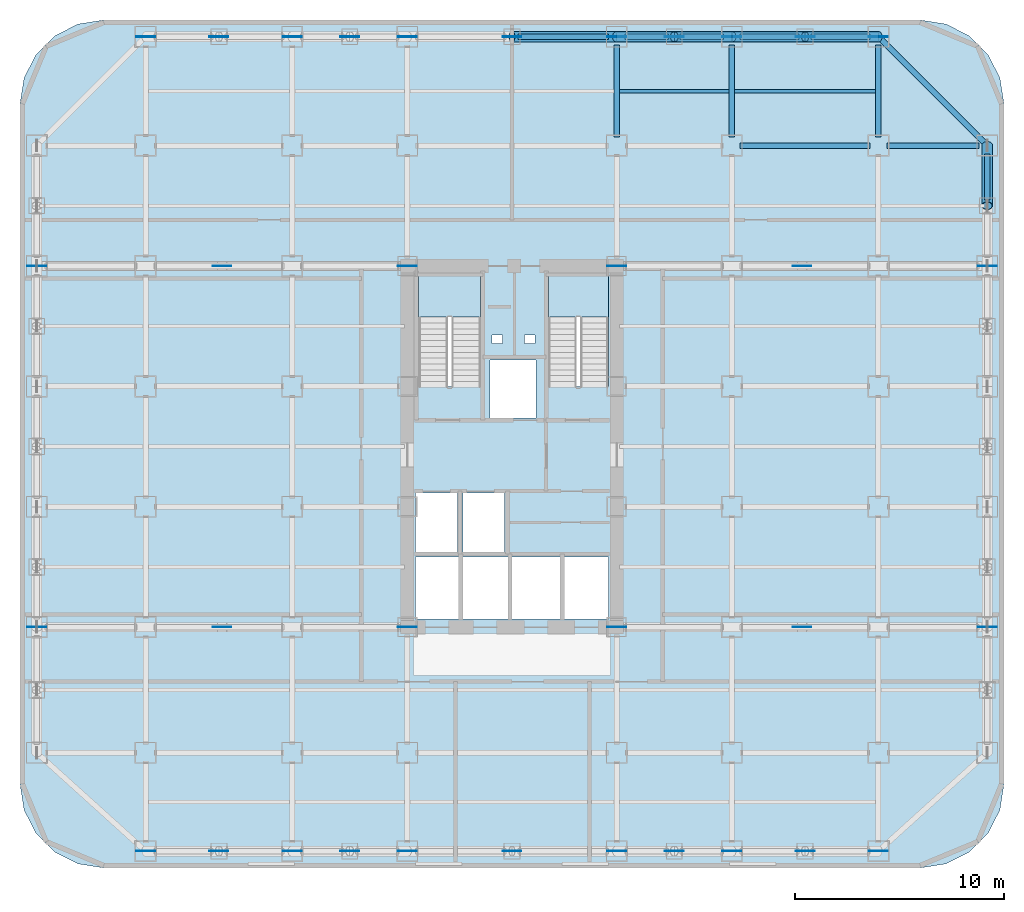
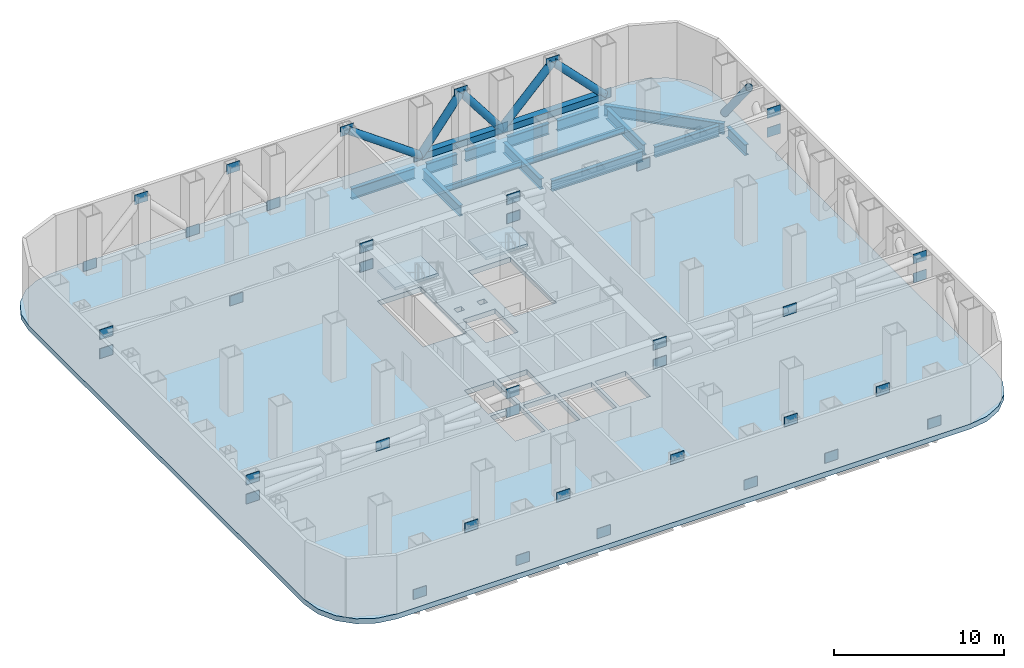
# One storey, part 4 of 10: 42 plates, 14 beams, 8 members, 3 slabs, 2 elements without a shape of their own.
"""IFC4 building model written with IfcOpenShell, lengths in metres."""

from ifc_helpers import new_model, si_unit, direction, frame, origin, origin_2d, place, context, subcontext, project, spatial, polyline, rectangle, hollow_rectangle, hollow_circle, i_section, outline, extrude, source, transform, mapped, material, layer, layer_set, material_profile, profile_set, type_object, element, aggregate, save


model = new_model("IFC4")

# Units and contexts
model_context = context("Model", 3, precision=1e-05, world=origin(), true_north=direction((0.0, 1.0)))
body_context = subcontext(model_context, "Body", "Model", "MODEL_VIEW")
ifc_project = project(units=[si_unit("LENGTHUNIT", "METRE"), si_unit("AREAUNIT", "SQUARE_METRE"), si_unit("VOLUMEUNIT", "CUBIC_METRE"), si_unit("PLANEANGLEUNIT", "RADIAN"), si_unit("MASSUNIT", "GRAM", prefix="KILO")], contexts=[model_context])

# Site, building, storey
site_placement = place(None, origin())
site = spatial("IfcSite", under=ifc_project, at=site_placement, CompositionType="ELEMENT")
building_placement = place(site_placement, origin())
building = spatial("IfcBuilding", under=site, at=building_placement, Name="Kolveth Station Tower", CompositionType="ELEMENT")
storey_placement = place(building_placement, frame((0.0, 0.0, 76.5)))
storey = spatial("IfcBuildingStorey", under=building, at=storey_placement, Name="L20", CompositionType="ELEMENT", Elevation=76.5)

# Beams
ifc_material_1 = material(Name="Steel S355", Category="steel")
ifc_material_profile_1 = material_profile(ifc_material_1, i_section(OverallWidth=0.26904296875, OverallDepth=0.77490234375, WebThickness=0.01708984375, FlangeThickness=0.0283203125, at=origin_2d()), Name="W760x220")
ifc_profile_set_1 = profile_set([ifc_material_profile_1], Name="Steel S355")
beam_type_1 = type_object("IfcBeamType", Name="Beam_SP1", PredefinedType="SPANDREL", material=ifc_profile_set_1)
shared_shape_1 = source(origin(), body_context, "Body", "SweptSolid", [
    extrude(i_section(OverallWidth=0.26904296875, OverallDepth=0.77490234375, WebThickness=0.01708984375, FlangeThickness=0.0283203125, at=origin_2d()), origin(), (0.0, 0.0, 1.0), 7.353759765625),
])
beam_1_placement = place(storey_placement, frame((46.199951171875, 34.5, -0.74755859375), z_axis=(-0.707106781187, 0.707106781187, 0.0), x_axis=(-0.707106781187, -0.707106781187, 0.0)))
element("IfcBeam", 1, at=beam_1_placement, inside=storey, type_object=beam_type_1, Name="L20 Corner Edge Girder BM-L20-CNR-NE", PredefinedType="SPANDREL", context=body_context, shape_type="MappedRepresentation", body=[
    mapped(shared_shape_1, transform((0.0, 0.0, 0.0), x_axis=(1.0, 0.0, 0.0), y_axis=(0.0, 1.0, 0.0), z_axis=(0.0, 0.0, 1.0), scale=1.0)),
])
shared_shape_2 = source(origin(), body_context, "Body", "SweptSolid", [
    extrude(i_section(OverallWidth=0.26904296875, OverallDepth=0.77490234375, WebThickness=0.01708984375, FlangeThickness=0.0283203125, at=origin_2d()), origin(), (0.0, 0.0, 1.0), 2.820068359375),
])
for number, where, z_axis, x_axis, name in (
    (2, (34.39990234375, 39.699951171875, -0.74755859375), (1.0, 0.0, 0.0), (0.0, 1.0, 0.0), "L20 Perimeter Spandrel BM-L20-PN-9"),
    (3, (37.780029296875, 39.699951171875, -0.74755859375), (1.0, 0.0, 0.0), (0.0, 1.0, 0.0), "L20 Perimeter Spandrel BM-L20-PN-10"),
):
    element("IfcBeam", number, at=place(storey_placement, frame(where, z_axis=z_axis, x_axis=x_axis)), inside=storey, type_object=beam_type_1, Name=name, PredefinedType="SPANDREL", context=body_context, shape_type="MappedRepresentation", body=[
        mapped(shared_shape_2, transform((0.0, 0.0, 0.0), x_axis=(1.0, 0.0, 0.0), y_axis=(0.0, 1.0, 0.0), z_axis=(0.0, 0.0, 1.0), scale=1.0)),
    ])
shared_shape_3 = source(origin(), body_context, "Body", "SweptSolid", [
    extrude(i_section(OverallWidth=0.26904296875, OverallDepth=0.77490234375, WebThickness=0.01708984375, FlangeThickness=0.0283203125, at=origin_2d()), origin(), (0.0, 0.0, 1.0), 2.070068359375),
])
for number, where, z_axis, x_axis, name in (
    (4, (28.89990234375, 39.699951171875, -0.74755859375), (1.0, 0.0, 0.0), (0.0, 1.0, 0.0), "L20 Perimeter Spandrel BM-L20-PN-7"),
    (5, (31.530029296875, 39.699951171875, -0.74755859375), (1.0, 0.0, 0.0), (0.0, 1.0, 0.0), "L20 Perimeter Spandrel BM-L20-PN-8"),
):
    element("IfcBeam", number, at=place(storey_placement, frame(where, z_axis=z_axis, x_axis=x_axis)), inside=storey, type_object=beam_type_1, Name=name, PredefinedType="SPANDREL", context=body_context, shape_type="MappedRepresentation", body=[
        mapped(shared_shape_3, transform((0.0, 0.0, 0.0), x_axis=(1.0, 0.0, 0.0), y_axis=(0.0, 1.0, 0.0), z_axis=(0.0, 0.0, 1.0), scale=1.0)),
    ])
shared_shape_4 = source(origin(), body_context, "Body", "SweptSolid", [
    extrude(i_section(OverallWidth=0.26904296875, OverallDepth=0.77490234375, WebThickness=0.01708984375, FlangeThickness=0.0283203125, at=origin_2d()), origin(), (0.0, 0.0, 1.0), 4.320068359375),
])
beam_2_placement = place(storey_placement, frame((23.780029296875, 39.699951171875, -0.74755859375), z_axis=(1.0, 0.0, 0.0), x_axis=(0.0, 1.0, 0.0)))
element("IfcBeam", 6, at=beam_2_placement, inside=storey, type_object=beam_type_1, Name="L20 Perimeter Spandrel BM-L20-PN-6", PredefinedType="SPANDREL", context=body_context, shape_type="MappedRepresentation", body=[
    mapped(shared_shape_4, transform((0.0, 0.0, 0.0), x_axis=(1.0, 0.0, 0.0), y_axis=(0.0, 1.0, 0.0), z_axis=(0.0, 0.0, 1.0), scale=1.0)),
])
shared_shape_5 = source(origin(), body_context, "Body", "SweptSolid", [
    extrude(i_section(OverallWidth=0.26904296875, OverallDepth=0.77490234375, WebThickness=0.01708984375, FlangeThickness=0.0283203125, at=origin_2d()), origin(), (0.0, 0.0, 1.0), 2.2001953125),
])
beam_3_placement = place(storey_placement, frame((46.199951171875, 31.89990234375, -0.74755859375), z_axis=(0.0, 1.0, 0.0), x_axis=(-1.0, 0.0, 0.0)))
element("IfcBeam", 7, at=beam_3_placement, inside=storey, type_object=beam_type_1, Name="L20 Perimeter Spandrel BM-L20-PE-10", PredefinedType="SPANDREL", context=body_context, shape_type="MappedRepresentation", body=[
    mapped(shared_shape_5, transform((0.0, 0.0, 0.0), x_axis=(1.0, 0.0, 0.0), y_axis=(0.0, 1.0, 0.0), z_axis=(0.0, 0.0, 1.0), scale=1.0)),
])
ifc_material_profile_2 = material_profile(ifc_material_1, i_section(OverallWidth=0.26708984375, OverallDepth=0.76611328125, WebThickness=0.014892578125, FlangeThickness=0.023681640625, at=origin_2d()), Name="W760x185")
ifc_profile_set_2 = profile_set([ifc_material_profile_2], Name="Steel S355")
beam_type_2 = type_object("IfcBeamType", Name="Beam_B3", PredefinedType="BEAM", material=ifc_profile_set_2)
shared_shape_6 = source(origin(), body_context, "Body", "SweptSolid", [
    extrude(i_section(OverallWidth=0.26708984375, OverallDepth=0.76611328125, WebThickness=0.014892578125, FlangeThickness=0.023681640625, at=origin_2d()), origin(), (0.0, 0.0, 1.0), 4.400146484375),
])
for number, where, z_axis, x_axis, name in (
    (8, (41.39990234375, 34.5, -0.742919921875), (1.0, 0.0, 0.0), (0.0, 1.0, 0.0), "L20 Primary Girder BM-L20-GY345-7"),
    (9, (28.5, 34.89990234375, -0.742919921875), (0.0, 1.0, 0.0), (-1.0, 0.0, 0.0), "L20 Primary Girder BM-L20-GX285-7"),
    (10, (34.0, 34.89990234375, -0.742919921875), (0.0, 1.0, 0.0), (-1.0, 0.0, 0.0), "L20 Primary Girder BM-L20-GX340-7"),
    (11, (41.0, 34.89990234375, -0.742919921875), (0.0, 1.0, 0.0), (-1.0, 0.0, 0.0), "L20 Primary Girder BM-L20-GX410-7"),
):
    element("IfcBeam", number, at=place(storey_placement, frame(where, z_axis=z_axis, x_axis=x_axis)), inside=storey, type_object=beam_type_2, Name=name, PredefinedType="BEAM", context=body_context, shape_type="MappedRepresentation", body=[
        mapped(shared_shape_6, transform((0.0, 0.0, 0.0), x_axis=(1.0, 0.0, 0.0), y_axis=(0.0, 1.0, 0.0), z_axis=(0.0, 0.0, 1.0), scale=1.0)),
    ])
shared_shape_7 = source(origin(), body_context, "Body", "SweptSolid", [
    extrude(i_section(OverallWidth=0.26708984375, OverallDepth=0.76611328125, WebThickness=0.014892578125, FlangeThickness=0.023681640625, at=origin_2d()), origin(), (0.0, 0.0, 1.0), 6.2001953125),
])
beam_4_placement = place(storey_placement, frame((34.39990234375, 34.5, -0.742919921875), z_axis=(1.0, 0.0, 0.0), x_axis=(0.0, 1.0, 0.0)))
element("IfcBeam", 12, at=beam_4_placement, inside=storey, type_object=beam_type_2, Name="L20 Primary Girder BM-L20-GY345-6", PredefinedType="BEAM", context=body_context, shape_type="MappedRepresentation", body=[
    mapped(shared_shape_7, transform((0.0, 0.0, 0.0), x_axis=(1.0, 0.0, 0.0), y_axis=(0.0, 1.0, 0.0), z_axis=(0.0, 0.0, 1.0), scale=1.0)),
])
ifc_material_profile_3 = material_profile(ifc_material_1, i_section(OverallWidth=0.177978515625, OverallDepth=0.406982421875, WebThickness=0.0078125, FlangeThickness=0.0126953125, at=origin_2d()), Name="W410x60")
ifc_profile_set_3 = profile_set([ifc_material_profile_3], Name="Steel S355")
beam_type_3 = type_object("IfcBeamType", Name="Beam_J1", PredefinedType="JOIST", material=ifc_profile_set_3)
shared_shape_8 = source(origin(), body_context, "Body", "SweptSolid", [
    extrude(i_section(OverallWidth=0.177978515625, OverallDepth=0.406982421875, WebThickness=0.0078125, FlangeThickness=0.0126953125, at=origin_2d()), origin(), (0.0, 0.0, 1.0), 6.73681640625),
])
beam_5_placement = place(storey_placement, frame((34.131591796875, 37.10009765625, -0.5634765625), z_axis=(1.0, 0.0, 0.0), x_axis=(0.0, 1.0, 0.0)))
element("IfcBeam", 13, at=beam_5_placement, inside=storey, type_object=beam_type_3, Name="L20 Secondary Joist JST-L20-6-7", PredefinedType="JOIST", context=body_context, shape_type="MappedRepresentation", body=[
    mapped(shared_shape_8, transform((0.0, 0.0, 0.0), x_axis=(1.0, 0.0, 0.0), y_axis=(0.0, 1.0, 0.0), z_axis=(0.0, 0.0, 1.0), scale=1.0)),
])
shared_shape_9 = source(origin(), body_context, "Body", "SweptSolid", [
    extrude(i_section(OverallWidth=0.177978515625, OverallDepth=0.406982421875, WebThickness=0.0078125, FlangeThickness=0.0126953125, at=origin_2d()), origin(), (0.0, 0.0, 1.0), 5.23681640625),
])
beam_6_placement = place(storey_placement, frame((28.631591796875, 37.10009765625, -0.5634765625), z_axis=(1.0, 0.0, 0.0), x_axis=(0.0, 1.0, 0.0)))
element("IfcBeam", 14, at=beam_6_placement, inside=storey, type_object=beam_type_3, Name="L20 Secondary Joist JST-L20-5-7", PredefinedType="JOIST", context=body_context, shape_type="MappedRepresentation", body=[
    mapped(shared_shape_9, transform((0.0, 0.0, 0.0), x_axis=(1.0, 0.0, 0.0), y_axis=(0.0, 1.0, 0.0), z_axis=(0.0, 0.0, 1.0), scale=1.0)),
])

# Members
ifc_material_2 = material(Name="Steel S460", Category="steel")
ifc_material_profile_4 = material_profile(ifc_material_2, hollow_circle(Radius=0.25390625, WallThickness=0.02490234375, at=origin_2d()), Name="CHS508x25")
ifc_profile_set_4 = profile_set([ifc_material_profile_4], Name="Steel S460")
member_type_1 = type_object("IfcMemberType", Name="Mem_BR1", PredefinedType="BRACE", material=ifc_profile_set_4)
shared_shape_10 = source(origin(), body_context, "Body", "SweptSolid", [
    extrude(hollow_circle(Radius=0.25390625, WallThickness=0.02490234375, at=origin_2d()), origin(), (0.0, 0.0, 1.0), 4.999267578125),
])
for number, where, z_axis, x_axis, name in (
    (15, (34.0, 39.699951171875, 0.35009765625), (0.700088987627, 0.0, 0.71405560666), (0.0, 1.0, 0.0), "L20 Belt Truss Brace N5A"),
    (16, (41.0, 39.699951171875, 0.35009765625), (-0.700088987627, 0.0, 0.71405560666), (0.0, -1.0, 0.0), "L20 Belt Truss Brace N5B"),
):
    element("IfcMember", number, at=place(storey_placement, frame(where, z_axis=z_axis, x_axis=x_axis)), inside=storey, type_object=member_type_1, Name=name, PredefinedType="BRACE", context=body_context, shape_type="MappedRepresentation", body=[
        mapped(shared_shape_10, transform((0.0, 0.0, 0.0), x_axis=(1.0, 0.0, 0.0), y_axis=(0.0, 1.0, 0.0), z_axis=(0.0, 0.0, 1.0), scale=1.0)),
    ])
ifc_material_profile_5 = material_profile(ifc_material_2, hollow_rectangle(XDim=0.449951171875, YDim=0.449951171875, WallThickness=0.02490234375, at=origin_2d()), Name="HSS450x450x25")
ifc_profile_set_5 = profile_set([ifc_material_profile_5], Name="Steel S460")
member_type_2 = type_object("IfcMemberType", Name="Mem_CH1", PredefinedType="CHORD", material=ifc_profile_set_5)
shared_shape_11 = source(origin(), body_context, "Body", "SweptSolid", [
    extrude(hollow_rectangle(XDim=0.449951171875, YDim=0.449951171875, WallThickness=0.02490234375, at=origin_2d()), origin(), (0.0, 0.0, 1.0), 7.0),
])
member_1_placement = place(storey_placement, frame((34.0, 39.699951171875, 0.35009765625), z_axis=(1.0, 0.0, 0.0), x_axis=(0.0, 1.0, 0.0)))
element("IfcMember", 17, at=member_1_placement, inside=storey, type_object=member_type_2, Name="L20 Belt Truss Bottom Chord N5", PredefinedType="CHORD", context=body_context, shape_type="MappedRepresentation", body=[
    mapped(shared_shape_11, transform((0.0, 0.0, 0.0), x_axis=(1.0, 0.0, 0.0), y_axis=(0.0, 1.0, 0.0), z_axis=(0.0, 0.0, 1.0), scale=1.0)),
])
shared_shape_12 = source(origin(), body_context, "Body", "SweptSolid", [
    extrude(hollow_circle(Radius=0.25390625, WallThickness=0.02490234375, at=origin_2d()), origin(), (0.0, 0.0, 1.0), 4.50634765625),
])
for number, where, z_axis, x_axis, name in (
    (18, (28.5, 39.699951171875, 0.35009765625), (0.610265688356, 0.0, 0.792196812424), (0.0, 1.0, 0.0), "L20 Belt Truss Brace N4A"),
    (19, (34.0, 39.699951171875, 0.35009765625), (-0.610265688356, 0.0, 0.792196812424), (0.0, -1.0, 0.0), "L20 Belt Truss Brace N4B"),
):
    element("IfcMember", number, at=place(storey_placement, frame(where, z_axis=z_axis, x_axis=x_axis)), inside=storey, type_object=member_type_1, Name=name, PredefinedType="BRACE", context=body_context, shape_type="MappedRepresentation", body=[
        mapped(shared_shape_12, transform((0.0, 0.0, 0.0), x_axis=(1.0, 0.0, 0.0), y_axis=(0.0, 1.0, 0.0), z_axis=(0.0, 0.0, 1.0), scale=1.0)),
    ])
shared_shape_13 = source(origin(), body_context, "Body", "SweptSolid", [
    extrude(hollow_rectangle(XDim=0.449951171875, YDim=0.449951171875, WallThickness=0.02490234375, at=origin_2d()), origin(), (0.0, 0.0, 1.0), 5.5),
])
member_2_placement = place(storey_placement, frame((28.5, 39.699951171875, 0.35009765625), z_axis=(1.0, 0.0, 0.0), x_axis=(0.0, 1.0, 0.0)))
element("IfcMember", 20, at=member_2_placement, inside=storey, type_object=member_type_2, Name="L20 Belt Truss Bottom Chord N4", PredefinedType="CHORD", context=body_context, shape_type="MappedRepresentation", body=[
    mapped(shared_shape_13, transform((0.0, 0.0, 0.0), x_axis=(1.0, 0.0, 0.0), y_axis=(0.0, 1.0, 0.0), z_axis=(0.0, 0.0, 1.0), scale=1.0)),
])
shared_shape_14 = source(origin(), body_context, "Body", "SweptSolid", [
    extrude(hollow_circle(Radius=0.25390625, WallThickness=0.02490234375, at=origin_2d()), origin(), (0.0, 0.0, 1.0), 6.1435546875),
])
member_3_placement = place(storey_placement, frame((28.5, 39.699951171875, 0.35009765625), z_axis=(-0.813856966283, 0.0, 0.581065261767), x_axis=(0.0, -1.0, 0.0)))
element("IfcMember", 21, at=member_3_placement, inside=storey, type_object=member_type_1, Name="L20 Belt Truss Brace N3B", PredefinedType="BRACE", context=body_context, shape_type="MappedRepresentation", body=[
    mapped(shared_shape_14, transform((0.0, 0.0, 0.0), x_axis=(1.0, 0.0, 0.0), y_axis=(0.0, 1.0, 0.0), z_axis=(0.0, 0.0, 1.0), scale=1.0)),
])
shared_shape_15 = source(origin(), body_context, "Body", "SweptSolid", [
    extrude(hollow_circle(Radius=0.25390625, WallThickness=0.02490234375, at=origin_2d()), origin(), (0.0, 0.0, 1.0), 4.58349609375),
])
member_4_placement = place(storey_placement, frame((46.199951171875, 34.5, 0.35009765625), z_axis=(0.0, -0.627238010019, 0.778827630986), x_axis=(1.0, 0.0, 0.0)))
element("IfcMember", 22, at=member_4_placement, inside=storey, type_object=member_type_1, Name="L20 Belt Truss Brace E5B", PredefinedType="BRACE", context=body_context, shape_type="MappedRepresentation", body=[
    mapped(shared_shape_15, transform((0.0, 0.0, 0.0), x_axis=(1.0, 0.0, 0.0), y_axis=(0.0, 1.0, 0.0), z_axis=(0.0, 0.0, 1.0), scale=1.0)),
])

# Slab
ifc_material_3 = material(Name="Concrete C50/60", Category="concrete")
ifc_layer_1 = layer(ifc_material_3, 0.360107421875)
ifc_layer_set_1 = layer_set([ifc_layer_1], Name="Concrete C50/60")
slab_type_1 = type_object("IfcSlabType", Name="Slab_SF-360", PredefinedType="FLOOR", material=ifc_layer_set_1)
slab_1_placement = place(storey_placement, frame((0.0, 0.0, -0.360107421875)))
element("IfcSlab", 23, at=slab_1_placement, inside=storey, type_object=slab_type_1, Name="L20 Tower Structural Floor Slab", PredefinedType="FLOOR", context=body_context, shape_type="SweptSolid", body=[
    extrude(outline(polyline([(43.0, 0.0), (44.236083984375, 0.19580078125), (45.35107421875, 0.763916015625), (46.236083984375, 1.64892578125), (46.80419921875, 2.763916015625), (47.0, 4.0), (47.0, 36.5), (46.80419921875, 37.736083984375), (46.236083984375, 38.85107421875), (45.35107421875, 39.736083984375), (44.236083984375, 40.30419921875), (43.0, 40.5), (4.0, 40.5), (2.763916015625, 40.30419921875), (1.64892578125, 39.736083984375), (0.763916015625, 38.85107421875), (0.19580078125, 37.736083984375), (0.0, 36.5), (0.0, 4.0), (0.19580078125, 2.763916015625), (0.763916015625, 1.64892578125), (1.64892578125, 0.763916015625), (2.763916015625, 0.19580078125), (4.0, 0.0), (43.0, 0.0)]), holes=[polyline([(19.0400390625, 22.985107421875), (22.0, 22.985107421875), (22.0, 28.39990234375), (19.0400390625, 28.39990234375), (19.0400390625, 22.985107421875)]), polyline([(25.239990234375, 22.985107421875), (28.10009765625, 22.985107421875), (28.10009765625, 28.39990234375), (25.239990234375, 28.39990234375), (25.239990234375, 22.985107421875)]), polyline([(18.89990234375, 15.10009765625), (20.89990234375, 15.10009765625), (20.89990234375, 17.89990234375), (18.89990234375, 17.89990234375), (18.89990234375, 15.10009765625)]), polyline([(21.14990234375, 15.10009765625), (23.14990234375, 15.10009765625), (23.14990234375, 17.89990234375), (21.14990234375, 17.89990234375), (21.14990234375, 15.10009765625)]), polyline([(22.449951171875, 21.5), (24.64990234375, 21.5), (24.64990234375, 24.25), (22.449951171875, 24.25), (22.449951171875, 21.5)]), polyline([(18.89990234375, 11.89990234375), (20.949951171875, 11.89990234375), (20.949951171875, 14.85009765625), (18.89990234375, 14.85009765625), (18.89990234375, 11.89990234375)]), polyline([(21.14990234375, 11.89990234375), (23.300048828125, 11.89990234375), (23.300048828125, 14.85009765625), (21.14990234375, 14.85009765625), (21.14990234375, 11.89990234375)]), polyline([(23.5, 11.89990234375), (25.800048828125, 11.89990234375), (25.800048828125, 14.85009765625), (23.5, 14.85009765625), (23.5, 11.89990234375)]), polyline([(26.0, 11.89990234375), (28.10009765625, 11.89990234375), (28.10009765625, 14.85009765625), (26.0, 14.85009765625), (26.0, 11.89990234375)]), polyline([(22.550048828125, 25.050048828125), (23.050048828125, 25.050048828125), (23.050048828125, 25.449951171875), (22.550048828125, 25.449951171875), (22.550048828125, 25.050048828125)]), polyline([(24.10009765625, 25.050048828125), (24.60009765625, 25.050048828125), (24.60009765625, 25.449951171875), (24.10009765625, 25.449951171875), (24.10009765625, 25.050048828125)])]), origin(), (0.0, 0.0, 1.0), 0.360107421875),
])

# Stair, slab
ifc_material_4 = material(Name="Concrete C40/50", Category="concrete")
stair_type_1 = type_object("IfcStairType", Name="Stair_ST2", PredefinedType="HALF_TURN_STAIR", material=ifc_material_4)
stair_1_placement = place(storey_placement, origin())
stair_1 = element("IfcStair", 24, at=stair_1_placement, inside=storey, type_object=stair_type_1, Name="L20 Tower Exit Stair ST2", PredefinedType="HALF_TURN_STAIR")
ifc_layer_2 = layer(ifc_material_4, 0.18994140625)
ifc_layer_set_2 = layer_set([ifc_layer_2], Name="Concrete C40/50")
slab_type_2 = type_object("IfcSlabType", Name="Slab_SL-190", PredefinedType="LANDING", material=ifc_layer_set_2)
slab_2_placement = place(storey_placement, frame((0.0, 0.0, 2.050048828125)))
slab_2 = element("IfcSlab", 25, at=slab_2_placement, type_object=slab_type_2, Name="ST2 landing 1", PredefinedType="LANDING", context=body_context, shape_type="SweptSolid", body=[
    extrude(outline(polyline([(28.10009765625, 26.31005859375), (28.10009765625, 28.39990234375), (25.239990234375, 28.39990234375), (25.239990234375, 26.31005859375), (28.10009765625, 26.31005859375)])), origin(), (0.0, 0.0, 1.0), 0.199951171875),
])
aggregate(stair_1, [slab_2])

stair_type_2 = type_object("IfcStairType", Name="Stair_ST1", PredefinedType="HALF_TURN_STAIR", material=ifc_material_4)
stair_2_placement = place(storey_placement, origin())
stair_2 = element("IfcStair", 26, at=stair_2_placement, inside=storey, type_object=stair_type_2, Name="L20 Tower Exit Stair ST1", PredefinedType="HALF_TURN_STAIR")
ifc_layer_3 = layer(ifc_material_4, 0.205078125)
ifc_layer_set_3 = layer_set([ifc_layer_3], Name="Concrete C40/50")
slab_type_3 = type_object("IfcSlabType", Name="Slab_SL-205", PredefinedType="LANDING", material=ifc_layer_set_3)
slab_3_placement = place(storey_placement, frame((0.0, 0.0, 2.050048828125)))
slab_3 = element("IfcSlab", 27, at=slab_3_placement, type_object=slab_type_3, Name="ST1 landing 1", PredefinedType="LANDING", context=body_context, shape_type="SweptSolid", body=[
    extrude(outline(polyline([(22.0, 26.31005859375), (22.0, 28.39990234375), (19.0400390625, 28.39990234375), (19.0400390625, 26.31005859375), (22.0, 26.31005859375)])), origin(), (0.0, 0.0, 1.0), 0.199951171875),
])
aggregate(stair_2, [slab_3])

# Plates
ifc_layer_4 = layer(ifc_material_2, 0.031982421875)
ifc_layer_set_4 = layer_set([ifc_layer_4], Name="Steel S460")
plate_type = type_object("IfcPlateType", Name="Plate_GP1", PredefinedType="USERDEFINED", material=ifc_layer_set_4)
shared_shape_16 = source(origin(), body_context, "Body", "SweptSolid", [
    extrude(rectangle(XDim=0.89990234375, YDim=0.031982421875, at=origin_2d()), origin(), (0.0, 0.0, 1.0), 0.699951171875),
])
for number, where, z_axis, x_axis, name in (
    (28, (6.0, 0.800048828125, 0.0), (0.0, 0.0, 1.0), (1.0, 0.0, 0.0), "L20 Belt Truss Base Gusset S1"),
    (29, (13.0, 0.800048828125, 0.0), (0.0, 0.0, 1.0), (1.0, 0.0, 0.0), "L20 Belt Truss Base Gusset S2"),
    (30, (18.5, 0.800048828125, 0.0), (0.0, 0.0, 1.0), (1.0, 0.0, 0.0), "L20 Belt Truss Base Gusset S3"),
    (31, (28.5, 0.800048828125, 0.0), (0.0, 0.0, 1.0), (1.0, 0.0, 0.0), "L20 Belt Truss Base Gusset S4"),
    (32, (34.0, 0.800048828125, 0.0), (0.0, 0.0, 1.0), (1.0, 0.0, 0.0), "L20 Belt Truss Base Gusset S5"),
    (33, (41.0, 0.800048828125, 0.0), (0.0, 0.0, 1.0), (1.0, 0.0, 0.0), "L20 Belt Truss Base Gusset S6"),
    (34, (9.5, 0.800048828125, 3.56982421875), (0.0, 0.0, 1.0), (1.0, 0.0, 0.0), "L20 Belt Truss Node Gusset S1"),
    (35, (15.75, 0.800048828125, 3.56982421875), (0.0, 0.0, 1.0), (1.0, 0.0, 0.0), "L20 Belt Truss Node Gusset S2"),
    (36, (23.5, 0.800048828125, 3.56982421875), (0.0, 0.0, 1.0), (1.0, 0.0, 0.0), "L20 Belt Truss Node Gusset S3"),
    (37, (31.25, 0.800048828125, 3.56982421875), (0.0, 0.0, 1.0), (1.0, 0.0, 0.0), "L20 Belt Truss Node Gusset S4"),
    (38, (37.5, 0.800048828125, 3.56982421875), (0.0, 0.0, 1.0), (1.0, 0.0, 0.0), "L20 Belt Truss Node Gusset S5"),
    (39, (6.0, 39.699951171875, 0.0), (0.0, 0.0, 1.0), (1.0, 0.0, 0.0), "L20 Belt Truss Base Gusset N1"),
    (40, (13.0, 39.699951171875, 0.0), (0.0, 0.0, 1.0), (1.0, 0.0, 0.0), "L20 Belt Truss Base Gusset N2"),
    (41, (18.5, 39.699951171875, 0.0), (0.0, 0.0, 1.0), (1.0, 0.0, 0.0), "L20 Belt Truss Base Gusset N3"),
    (42, (28.5, 39.699951171875, 0.0), (0.0, 0.0, 1.0), (1.0, 0.0, 0.0), "L20 Belt Truss Base Gusset N4"),
    (43, (34.0, 39.699951171875, 0.0), (0.0, 0.0, 1.0), (1.0, 0.0, 0.0), "L20 Belt Truss Base Gusset N5"),
    (44, (41.0, 39.699951171875, 0.0), (0.0, 0.0, 1.0), (1.0, 0.0, 0.0), "L20 Belt Truss Base Gusset N6"),
    (45, (9.5, 39.699951171875, 3.56982421875), (0.0, 0.0, 1.0), (1.0, 0.0, 0.0), "L20 Belt Truss Node Gusset N1"),
    (46, (15.75, 39.699951171875, 3.56982421875), (0.0, 0.0, 1.0), (1.0, 0.0, 0.0), "L20 Belt Truss Node Gusset N2"),
    (47, (23.5, 39.699951171875, 3.56982421875), (0.0, 0.0, 1.0), (1.0, 0.0, 0.0), "L20 Belt Truss Node Gusset N3"),
    (48, (31.25, 39.699951171875, 3.56982421875), (0.0, 0.0, 1.0), (1.0, 0.0, 0.0), "L20 Belt Truss Node Gusset N4"),
    (49, (37.5, 39.699951171875, 3.56982421875), (0.0, 0.0, 1.0), (1.0, 0.0, 0.0), "L20 Belt Truss Node Gusset N5"),
    (50, (9.64990234375, 11.5, 2.88525390625), (0.0, 0.0, 1.0), (1.0, 0.0, 0.0), "L20 Outrigger X-Crossing Gusset 1"),
    (51, (0.800048828125, 11.5, 2.2001953125), (0.0, 0.0, 1.0), (1.0, 0.0, 0.0), "L20 Outrigger End Gusset 1.1"),
    (52, (18.5, 11.5, 3.56982421875), (0.0, 0.0, 1.0), (1.0, 0.0, 0.0), "L20 Outrigger End Gusset 1.2"),
    (53, (18.5, 11.5, 2.2001953125), (0.0, 0.0, 1.0), (1.0, 0.0, 0.0), "L20 Outrigger End Gusset 1.3"),
    (54, (0.800048828125, 11.5, 3.56982421875), (0.0, 0.0, 1.0), (1.0, 0.0, 0.0), "L20 Outrigger End Gusset 1.4"),
    (55, (37.35009765625, 11.5, 2.88525390625), (0.0, 0.0, 1.0), (1.0, 0.0, 0.0), "L20 Outrigger X-Crossing Gusset 2"),
    (56, (28.5, 11.5, 2.2001953125), (0.0, 0.0, 1.0), (1.0, 0.0, 0.0), "L20 Outrigger End Gusset 2.1"),
    (57, (46.199951171875, 11.5, 3.56982421875), (0.0, 0.0, 1.0), (1.0, 0.0, 0.0), "L20 Outrigger End Gusset 2.2"),
    (58, (46.199951171875, 11.5, 2.2001953125), (0.0, 0.0, 1.0), (1.0, 0.0, 0.0), "L20 Outrigger End Gusset 2.3"),
    (59, (28.5, 11.5, 3.56982421875), (0.0, 0.0, 1.0), (1.0, 0.0, 0.0), "L20 Outrigger End Gusset 2.4"),
    (60, (9.64990234375, 28.75, 2.88525390625), (0.0, 0.0, 1.0), (1.0, 0.0, 0.0), "L20 Outrigger X-Crossing Gusset 3"),
    (61, (0.800048828125, 28.75, 2.2001953125), (0.0, 0.0, 1.0), (1.0, 0.0, 0.0), "L20 Outrigger End Gusset 3.1"),
    (62, (18.5, 28.75, 3.56982421875), (0.0, 0.0, 1.0), (1.0, 0.0, 0.0), "L20 Outrigger End Gusset 3.2"),
    (63, (18.5, 28.75, 2.2001953125), (0.0, 0.0, 1.0), (1.0, 0.0, 0.0), "L20 Outrigger End Gusset 3.3"),
    (64, (0.800048828125, 28.75, 3.56982421875), (0.0, 0.0, 1.0), (1.0, 0.0, 0.0), "L20 Outrigger End Gusset 3.4"),
    (65, (37.35009765625, 28.75, 2.88525390625), (0.0, 0.0, 1.0), (1.0, 0.0, 0.0), "L20 Outrigger X-Crossing Gusset 4"),
    (66, (28.5, 28.75, 2.2001953125), (0.0, 0.0, 1.0), (1.0, 0.0, 0.0), "L20 Outrigger End Gusset 4.1"),
    (67, (46.199951171875, 28.75, 3.56982421875), (0.0, 0.0, 1.0), (1.0, 0.0, 0.0), "L20 Outrigger End Gusset 4.2"),
    (68, (46.199951171875, 28.75, 2.2001953125), (0.0, 0.0, 1.0), (1.0, 0.0, 0.0), "L20 Outrigger End Gusset 4.3"),
    (69, (28.5, 28.75, 3.56982421875), (0.0, 0.0, 1.0), (1.0, 0.0, 0.0), "L20 Outrigger End Gusset 4.4"),
):
    element("IfcPlate", number, at=place(storey_placement, frame(where, z_axis=z_axis, x_axis=x_axis)), inside=storey, type_object=plate_type, Name=name, ObjectType="GUSSET_PLATE", PredefinedType="USERDEFINED", context=body_context, shape_type="MappedRepresentation", body=[
        mapped(shared_shape_16, transform((0.0, 0.0, 0.0), x_axis=(1.0, 0.0, 0.0), y_axis=(0.0, 1.0, 0.0), z_axis=(0.0, 0.0, 1.0), scale=1.0)),
    ])

save(model, "model.ifc")
